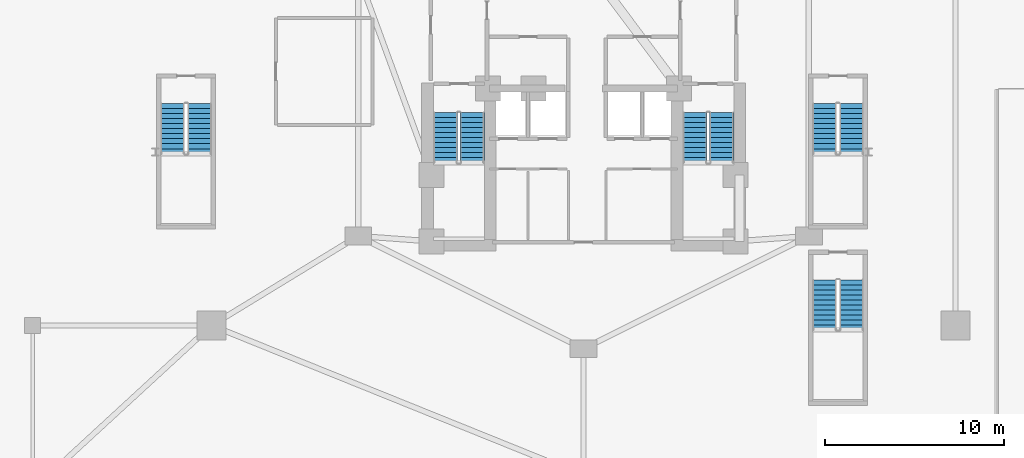
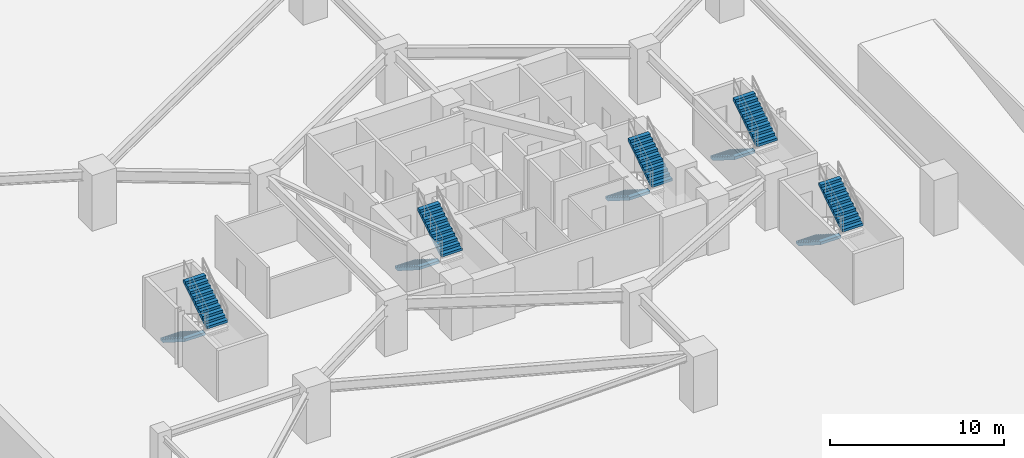
# One storey, part 10 of 12: 10 stair flights, 5 elements without a shape of their own.
"""IFC4 building model written with IfcOpenShell, lengths in metres."""

from ifc_helpers import new_model, si_unit, direction, frame, origin, place, context, subcontext, project, spatial, polyline, outline, extrude, material, type_object, element, aggregate, save


model = new_model("IFC4")

# Units and contexts
model_context = context("Model", 3, precision=1e-05, world=origin(), true_north=direction((0.0, 1.0)))
body_context = subcontext(model_context, "Body", "Model", "MODEL_VIEW")
ifc_project = project(units=[si_unit("LENGTHUNIT", "METRE"), si_unit("AREAUNIT", "SQUARE_METRE"), si_unit("VOLUMEUNIT", "CUBIC_METRE"), si_unit("PLANEANGLEUNIT", "RADIAN"), si_unit("MASSUNIT", "GRAM", prefix="KILO")], contexts=[model_context])

# Site, building, storey
site_placement = place(None, origin())
site = spatial("IfcSite", under=ifc_project, at=site_placement, CompositionType="ELEMENT")
building_placement = place(site_placement, origin())
building = spatial("IfcBuilding", under=site, at=building_placement, Name="Miruveldt Soraemaru", CompositionType="ELEMENT")
storey_placement = place(building_placement, frame((0.0, 0.0, -11.699951171875)))
storey = spatial("IfcBuildingStorey", under=building, at=storey_placement, Name="B3", CompositionType="ELEMENT", Elevation=-11.699951171875)

# Stair, stair flights
ifc_material_1 = material(Name="Concrete C40/50 (40 MPa)", Category="concrete")
stair_type_1 = type_object("IfcStairType", Name="STAIR-DL-390", PredefinedType="HALF_TURN_STAIR", material=ifc_material_1)
stair_1_placement = place(storey_placement, origin())
stair_1 = element("IfcStair", 1, at=stair_1_placement, inside=storey, type_object=stair_type_1, Name="B3 Protected Exit Stair ST-1", PredefinedType="HALF_TURN_STAIR")
stair_flight_type_1 = type_object("IfcStairFlightType", Name="SFL-DL-390", PredefinedType="STRAIGHT", material=ifc_material_1)
stair_flight_1_placement = place(storey_placement, frame((36.27490234375, 42.699951171875, 0.0), z_axis=(0.0, 0.0, 1.0), x_axis=(0.0, -1.0, 0.0)))
stair_flight_1 = element("IfcStairFlight", 2, at=stair_flight_1_placement, type_object=stair_flight_type_1, Name="ST-1 flight 1", NumberOfRisers=11, NumberOfTreads=10, PredefinedType="STRAIGHT", RiserHeight=0.177272727, TreadLength=0.28, context=body_context, shape_type="SweptSolid", body=[
    extrude(outline(polyline([(0.0, 0.0), (0.0, 0.17724609375), (0.280029296875, 0.17724609375), (0.280029296875, 0.3544921875), (0.56005859375, 0.3544921875), (0.56005859375, 0.53173828125), (0.840087890625, 0.53173828125), (0.840087890625, 0.708984375), (1.1201171875, 0.708984375), (1.1201171875, 0.886474609375), (1.39990234375, 0.886474609375), (1.39990234375, 1.063720703125), (1.679931640625, 1.063720703125), (1.679931640625, 1.240966796875), (1.9599609375, 1.240966796875), (1.9599609375, 1.418212890625), (2.239990234375, 1.418212890625), (2.239990234375, 1.595458984375), (2.52001953125, 1.595458984375), (2.52001953125, 1.772705078125), (2.800048828125, 1.772705078125), (2.800048828125, 1.949951171875), (2.800048828125, 1.58349609375), (0.298828125, 0.0), (0.0, 0.0)])), frame((0.0, 0.675048828125, 0.0), z_axis=(0.0, -1.0, 0.0), x_axis=(1.0, 0.0, 0.0)), (0.0, 0.0, 1.0), 1.35009765625),
])
stair_flight_2_placement = place(storey_placement, frame((37.77490234375, 39.89990234375, 1.949951171875), z_axis=(0.0, 0.0, 1.0), x_axis=(0.0, 1.0, 0.0)))
stair_flight_2 = element("IfcStairFlight", 3, at=stair_flight_2_placement, type_object=stair_flight_type_1, Name="ST-1 flight 2", NumberOfRisers=11, NumberOfTreads=10, PredefinedType="STRAIGHT", RiserHeight=0.177272727, TreadLength=0.28, context=body_context, shape_type="SweptSolid", body=[
    extrude(outline(polyline([(0.0, 0.0), (0.0, 0.17724609375), (0.280029296875, 0.17724609375), (0.280029296875, 0.3544921875), (0.56005859375, 0.3544921875), (0.56005859375, 0.53173828125), (0.840087890625, 0.53173828125), (0.840087890625, 0.708984375), (1.1201171875, 0.708984375), (1.1201171875, 0.886474609375), (1.39990234375, 0.886474609375), (1.39990234375, 1.063720703125), (1.679931640625, 1.063720703125), (1.679931640625, 1.240966796875), (1.9599609375, 1.240966796875), (1.9599609375, 1.418212890625), (2.239990234375, 1.418212890625), (2.239990234375, 1.595458984375), (2.52001953125, 1.595458984375), (2.52001953125, 1.772705078125), (2.800048828125, 1.772705078125), (2.800048828125, 1.949951171875), (2.800048828125, 1.58349609375), (0.298828125, 0.0), (0.0, 0.0)])), frame((0.0, 0.675048828125, 0.0), z_axis=(0.0, -1.0, 0.0), x_axis=(1.0, 0.0, 0.0)), (0.0, 0.0, 1.0), 1.35009765625),
])
aggregate(stair_1, [stair_flight_1, stair_flight_2])

stair_2_placement = place(storey_placement, origin())
stair_2 = element("IfcStair", 4, at=stair_2_placement, inside=storey, type_object=stair_type_1, Name="B3 Protected Exit Stair ST-2", PredefinedType="HALF_TURN_STAIR")
stair_flight_3_placement = place(storey_placement, frame((50.22509765625, 42.699951171875, 0.0), z_axis=(0.0, 0.0, 1.0), x_axis=(0.0, -1.0, 0.0)))
stair_flight_3 = element("IfcStairFlight", 5, at=stair_flight_3_placement, type_object=stair_flight_type_1, Name="ST-2 flight 1", NumberOfRisers=11, NumberOfTreads=10, PredefinedType="STRAIGHT", RiserHeight=0.177272727, TreadLength=0.28, context=body_context, shape_type="SweptSolid", body=[
    extrude(outline(polyline([(0.0, 0.0), (0.0, 0.17724609375), (0.280029296875, 0.17724609375), (0.280029296875, 0.3544921875), (0.56005859375, 0.3544921875), (0.56005859375, 0.53173828125), (0.840087890625, 0.53173828125), (0.840087890625, 0.708984375), (1.1201171875, 0.708984375), (1.1201171875, 0.886474609375), (1.39990234375, 0.886474609375), (1.39990234375, 1.063720703125), (1.679931640625, 1.063720703125), (1.679931640625, 1.240966796875), (1.9599609375, 1.240966796875), (1.9599609375, 1.418212890625), (2.239990234375, 1.418212890625), (2.239990234375, 1.595458984375), (2.52001953125, 1.595458984375), (2.52001953125, 1.772705078125), (2.800048828125, 1.772705078125), (2.800048828125, 1.949951171875), (2.800048828125, 1.58349609375), (0.298828125, 0.0), (0.0, 0.0)])), frame((0.0, 0.675048828125, 0.0), z_axis=(0.0, -1.0, 0.0), x_axis=(1.0, 0.0, 0.0)), (0.0, 0.0, 1.0), 1.35009765625),
])
stair_flight_4_placement = place(storey_placement, frame((51.72509765625, 39.89990234375, 1.949951171875), z_axis=(0.0, 0.0, 1.0), x_axis=(0.0, 1.0, 0.0)))
stair_flight_4 = element("IfcStairFlight", 6, at=stair_flight_4_placement, type_object=stair_flight_type_1, Name="ST-2 flight 2", NumberOfRisers=11, NumberOfTreads=10, PredefinedType="STRAIGHT", RiserHeight=0.177272727, TreadLength=0.28, context=body_context, shape_type="SweptSolid", body=[
    extrude(outline(polyline([(0.0, 0.0), (0.0, 0.17724609375), (0.280029296875, 0.17724609375), (0.280029296875, 0.3544921875), (0.56005859375, 0.3544921875), (0.56005859375, 0.53173828125), (0.840087890625, 0.53173828125), (0.840087890625, 0.708984375), (1.1201171875, 0.708984375), (1.1201171875, 0.886474609375), (1.39990234375, 0.886474609375), (1.39990234375, 1.063720703125), (1.679931640625, 1.063720703125), (1.679931640625, 1.240966796875), (1.9599609375, 1.240966796875), (1.9599609375, 1.418212890625), (2.239990234375, 1.418212890625), (2.239990234375, 1.595458984375), (2.52001953125, 1.595458984375), (2.52001953125, 1.772705078125), (2.800048828125, 1.772705078125), (2.800048828125, 1.949951171875), (2.800048828125, 1.58349609375), (0.298828125, 0.0), (0.0, 0.0)])), frame((0.0, 0.675048828125, 0.0), z_axis=(0.0, -1.0, 0.0), x_axis=(1.0, 0.0, 0.0)), (0.0, 0.0, 1.0), 1.35009765625),
])
aggregate(stair_2, [stair_flight_3, stair_flight_4])

stair_3_placement = place(storey_placement, origin())
stair_3 = element("IfcStair", 7, at=stair_3_placement, inside=storey, type_object=stair_type_1, Name="B3 Podium Protected Exit Stair ST-3", PredefinedType="HALF_TURN_STAIR")
stair_flight_5_placement = place(storey_placement, frame((21.02490234375, 43.199951171875, 0.0), z_axis=(0.0, 0.0, 1.0), x_axis=(0.0, -1.0, 0.0)))
stair_flight_5 = element("IfcStairFlight", 8, at=stair_flight_5_placement, type_object=stair_flight_type_1, Name="ST-3 flight 1", NumberOfRisers=11, NumberOfTreads=10, PredefinedType="STRAIGHT", RiserHeight=0.177272727, TreadLength=0.28, context=body_context, shape_type="SweptSolid", body=[
    extrude(outline(polyline([(0.0, 0.0), (0.0, 0.17724609375), (0.280029296875, 0.17724609375), (0.280029296875, 0.3544921875), (0.56005859375, 0.3544921875), (0.56005859375, 0.53173828125), (0.840087890625, 0.53173828125), (0.840087890625, 0.708984375), (1.1201171875, 0.708984375), (1.1201171875, 0.886474609375), (1.39990234375, 0.886474609375), (1.39990234375, 1.063720703125), (1.679931640625, 1.063720703125), (1.679931640625, 1.240966796875), (1.9599609375, 1.240966796875), (1.9599609375, 1.418212890625), (2.239990234375, 1.418212890625), (2.239990234375, 1.595458984375), (2.52001953125, 1.595458984375), (2.52001953125, 1.772705078125), (2.800048828125, 1.772705078125), (2.800048828125, 1.949951171875), (2.800048828125, 1.58349609375), (0.298828125, 0.0), (0.0, 0.0)])), frame((0.0, 0.675048828125, 0.0), z_axis=(0.0, -1.0, 0.0), x_axis=(1.0, 0.0, 0.0)), (0.0, 0.0, 1.0), 1.35009765625),
])
stair_flight_6_placement = place(storey_placement, frame((22.52490234375, 40.39990234375, 1.949951171875), z_axis=(0.0, 0.0, 1.0), x_axis=(0.0, 1.0, 0.0)))
stair_flight_6 = element("IfcStairFlight", 9, at=stair_flight_6_placement, type_object=stair_flight_type_1, Name="ST-3 flight 2", NumberOfRisers=11, NumberOfTreads=10, PredefinedType="STRAIGHT", RiserHeight=0.177272727, TreadLength=0.28, context=body_context, shape_type="SweptSolid", body=[
    extrude(outline(polyline([(0.0, 0.0), (0.0, 0.17724609375), (0.280029296875, 0.17724609375), (0.280029296875, 0.3544921875), (0.56005859375, 0.3544921875), (0.56005859375, 0.53173828125), (0.840087890625, 0.53173828125), (0.840087890625, 0.708984375), (1.1201171875, 0.708984375), (1.1201171875, 0.886474609375), (1.39990234375, 0.886474609375), (1.39990234375, 1.063720703125), (1.679931640625, 1.063720703125), (1.679931640625, 1.240966796875), (1.9599609375, 1.240966796875), (1.9599609375, 1.418212890625), (2.239990234375, 1.418212890625), (2.239990234375, 1.595458984375), (2.52001953125, 1.595458984375), (2.52001953125, 1.772705078125), (2.800048828125, 1.772705078125), (2.800048828125, 1.949951171875), (2.800048828125, 1.58349609375), (0.298828125, 0.0), (0.0, 0.0)])), frame((0.0, 0.675048828125, 0.0), z_axis=(0.0, -1.0, 0.0), x_axis=(1.0, 0.0, 0.0)), (0.0, 0.0, 1.0), 1.35009765625),
])
aggregate(stair_3, [stair_flight_5, stair_flight_6])

ifc_material_2 = material(Name="Steel S355 (355 MPa)", Category="steel")
stair_type_2 = type_object("IfcStairType", Name="STAIR-FEAT-STR", PredefinedType="TWO_STRAIGHT_RUN_STAIR", material=ifc_material_2)
stair_4_placement = place(storey_placement, origin())
stair_4 = element("IfcStair", 10, at=stair_4_placement, inside=storey, type_object=stair_type_2, Name="B3 Podium Garden Feature Stair ST-4", PredefinedType="TWO_STRAIGHT_RUN_STAIR")
stair_flight_type_2 = type_object("IfcStairFlightType", Name="SFL-FEAT-STR", PredefinedType="STRAIGHT", material=ifc_material_2)
stair_flight_7_placement = place(storey_placement, frame((57.47509765625, 43.199951171875, 0.0), z_axis=(0.0, 0.0, 1.0), x_axis=(0.0, -1.0, 0.0)))
stair_flight_7 = element("IfcStairFlight", 11, at=stair_flight_7_placement, type_object=stair_flight_type_2, Name="ST-4 flight 1", NumberOfRisers=11, NumberOfTreads=10, PredefinedType="STRAIGHT", RiserHeight=0.177272727, TreadLength=0.28, context=body_context, shape_type="SweptSolid", body=[
    extrude(outline(polyline([(0.0, 0.0), (0.0, 0.17724609375), (0.280029296875, 0.17724609375), (0.280029296875, 0.3544921875), (0.56005859375, 0.3544921875), (0.56005859375, 0.53173828125), (0.840087890625, 0.53173828125), (0.840087890625, 0.708984375), (1.1201171875, 0.708984375), (1.1201171875, 0.886474609375), (1.39990234375, 0.886474609375), (1.39990234375, 1.063720703125), (1.679931640625, 1.063720703125), (1.679931640625, 1.240966796875), (1.9599609375, 1.240966796875), (1.9599609375, 1.418212890625), (2.239990234375, 1.418212890625), (2.239990234375, 1.595458984375), (2.52001953125, 1.595458984375), (2.52001953125, 1.772705078125), (2.800048828125, 1.772705078125), (2.800048828125, 1.949951171875), (2.800048828125, 1.58349609375), (0.298828125, 0.0), (0.0, 0.0)])), frame((0.0, 0.675048828125, 0.0), z_axis=(0.0, -1.0, 0.0), x_axis=(1.0, 0.0, 0.0)), (0.0, 0.0, 1.0), 1.35009765625),
])
stair_flight_8_placement = place(storey_placement, frame((58.97509765625, 40.39990234375, 1.949951171875), z_axis=(0.0, 0.0, 1.0), x_axis=(0.0, 1.0, 0.0)))
stair_flight_8 = element("IfcStairFlight", 12, at=stair_flight_8_placement, type_object=stair_flight_type_2, Name="ST-4 flight 2", NumberOfRisers=11, NumberOfTreads=10, PredefinedType="STRAIGHT", RiserHeight=0.177272727, TreadLength=0.28, context=body_context, shape_type="SweptSolid", body=[
    extrude(outline(polyline([(0.0, 0.0), (0.0, 0.17724609375), (0.280029296875, 0.17724609375), (0.280029296875, 0.3544921875), (0.56005859375, 0.3544921875), (0.56005859375, 0.53173828125), (0.840087890625, 0.53173828125), (0.840087890625, 0.708984375), (1.1201171875, 0.708984375), (1.1201171875, 0.886474609375), (1.39990234375, 0.886474609375), (1.39990234375, 1.063720703125), (1.679931640625, 1.063720703125), (1.679931640625, 1.240966796875), (1.9599609375, 1.240966796875), (1.9599609375, 1.418212890625), (2.239990234375, 1.418212890625), (2.239990234375, 1.595458984375), (2.52001953125, 1.595458984375), (2.52001953125, 1.772705078125), (2.800048828125, 1.772705078125), (2.800048828125, 1.949951171875), (2.800048828125, 1.58349609375), (0.298828125, 0.0), (0.0, 0.0)])), frame((0.0, 0.675048828125, 0.0), z_axis=(0.0, -1.0, 0.0), x_axis=(1.0, 0.0, 0.0)), (0.0, 0.0, 1.0), 1.35009765625),
])
aggregate(stair_4, [stair_flight_7, stair_flight_8])

stair_5_placement = place(storey_placement, origin())
stair_5 = element("IfcStair", 13, at=stair_5_placement, inside=storey, type_object=stair_type_2, Name="B3 Basement Service Dogleg Stair ST-5", PredefinedType="TWO_STRAIGHT_RUN_STAIR")
stair_flight_9_placement = place(storey_placement, frame((57.47509765625, 33.35009765625, 0.0), z_axis=(0.0, 0.0, 1.0), x_axis=(0.0, -1.0, 0.0)))
stair_flight_9 = element("IfcStairFlight", 14, at=stair_flight_9_placement, type_object=stair_flight_type_2, Name="ST-5 flight 1", NumberOfRisers=11, NumberOfTreads=10, PredefinedType="STRAIGHT", RiserHeight=0.177272727, TreadLength=0.28, context=body_context, shape_type="SweptSolid", body=[
    extrude(outline(polyline([(0.0, 0.0), (0.0, 0.17724609375), (0.280029296875, 0.17724609375), (0.280029296875, 0.3544921875), (0.56005859375, 0.3544921875), (0.56005859375, 0.53173828125), (0.840087890625, 0.53173828125), (0.840087890625, 0.708984375), (1.1201171875, 0.708984375), (1.1201171875, 0.886474609375), (1.39990234375, 0.886474609375), (1.39990234375, 1.063720703125), (1.679931640625, 1.063720703125), (1.679931640625, 1.240966796875), (1.9599609375, 1.240966796875), (1.9599609375, 1.418212890625), (2.239990234375, 1.418212890625), (2.239990234375, 1.595458984375), (2.52001953125, 1.595458984375), (2.52001953125, 1.772705078125), (2.800048828125, 1.772705078125), (2.800048828125, 1.949951171875), (2.800048828125, 1.58349609375), (0.298828125, 0.0), (0.0, 0.0)])), frame((0.0, 0.675048828125, 0.0), z_axis=(0.0, -1.0, 0.0), x_axis=(1.0, 0.0, 0.0)), (0.0, 0.0, 1.0), 1.35009765625),
])
stair_flight_10_placement = place(storey_placement, frame((58.97509765625, 30.550048828125, 1.949951171875), z_axis=(0.0, 0.0, 1.0), x_axis=(0.0, 1.0, 0.0)))
stair_flight_10 = element("IfcStairFlight", 15, at=stair_flight_10_placement, type_object=stair_flight_type_2, Name="ST-5 flight 2", NumberOfRisers=11, NumberOfTreads=10, PredefinedType="STRAIGHT", RiserHeight=0.177272727, TreadLength=0.28, context=body_context, shape_type="SweptSolid", body=[
    extrude(outline(polyline([(0.0, 0.0), (0.0, 0.17724609375), (0.280029296875, 0.17724609375), (0.280029296875, 0.3544921875), (0.56005859375, 0.3544921875), (0.56005859375, 0.53173828125), (0.840087890625, 0.53173828125), (0.840087890625, 0.708984375), (1.1201171875, 0.708984375), (1.1201171875, 0.886474609375), (1.39990234375, 0.886474609375), (1.39990234375, 1.063720703125), (1.679931640625, 1.063720703125), (1.679931640625, 1.240966796875), (1.9599609375, 1.240966796875), (1.9599609375, 1.418212890625), (2.239990234375, 1.418212890625), (2.239990234375, 1.595458984375), (2.52001953125, 1.595458984375), (2.52001953125, 1.772705078125), (2.800048828125, 1.772705078125), (2.800048828125, 1.949951171875), (2.800048828125, 1.58349609375), (0.298828125, 0.0), (0.0, 0.0)])), frame((0.0, 0.675048828125, 0.0), z_axis=(0.0, -1.0, 0.0), x_axis=(1.0, 0.0, 0.0)), (0.0, 0.0, 1.0), 1.35009765625),
])
aggregate(stair_5, [stair_flight_9, stair_flight_10])

save(model, "model.ifc")
